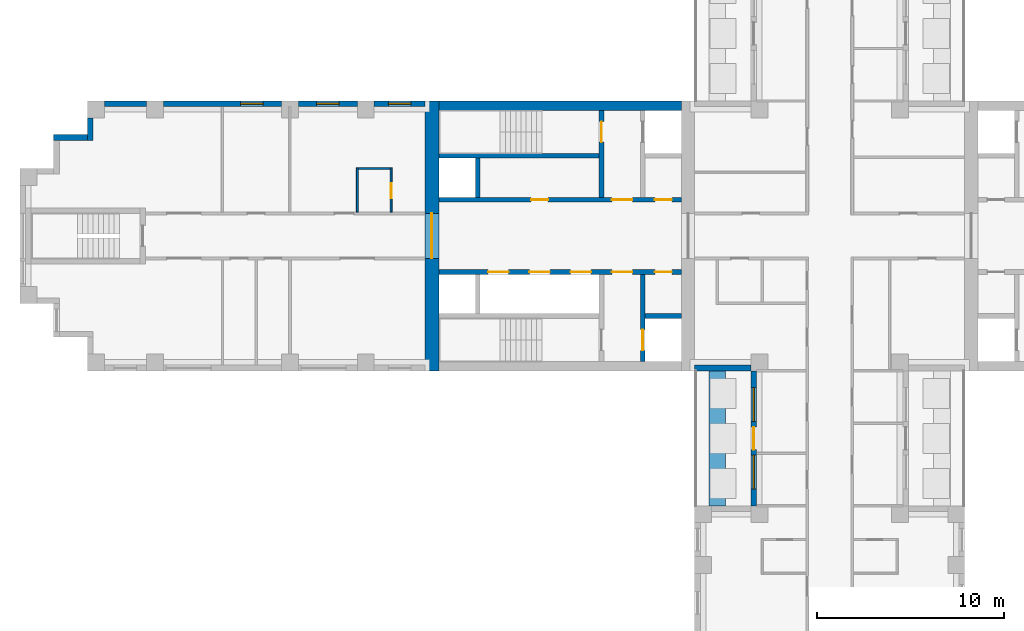
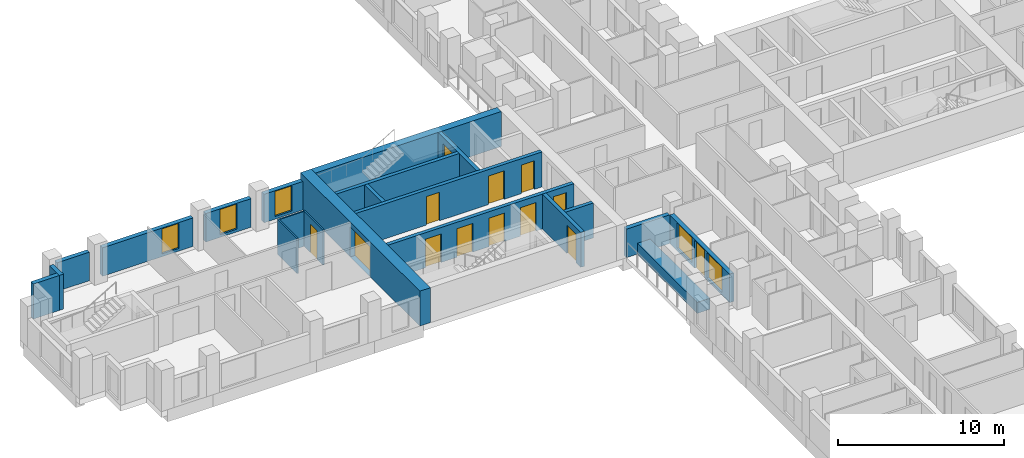
# One storey, part 6 of 15: 21 walls, 13 doors, 5 windows, 18 openings.
"""IFC4 building model written with IfcOpenShell, lengths in metres."""

from ifc_helpers import new_model, si_unit, direction, frame, frame_2d, origin, place, context, subcontext, project, spatial, rectangle, extrude, material, layer, layer_set, type_object, element, fill, save


model = new_model("IFC4")

# Units and contexts
model_context = context("Model", 3, precision=1e-05, world=origin(), true_north=direction((0.0, 1.0)))
body_context = subcontext(model_context, "Body", "Model", "MODEL_VIEW")
ifc_project = project(units=[si_unit("LENGTHUNIT", "METRE"), si_unit("AREAUNIT", "SQUARE_METRE"), si_unit("VOLUMEUNIT", "CUBIC_METRE"), si_unit("PLANEANGLEUNIT", "RADIAN"), si_unit("MASSUNIT", "GRAM", prefix="KILO")], contexts=[model_context])

# Site, building, storey
site_placement = place(None, origin())
site = spatial("IfcSite", under=ifc_project, at=site_placement, CompositionType="ELEMENT")
building_placement = place(site_placement, origin())
building = spatial("IfcBuilding", under=site, at=building_placement, Name="Fustian Cross Tower", CompositionType="ELEMENT")
storey_placement = place(building_placement, frame((0.0, 0.0, 38.699951171875)))
storey = spatial("IfcBuildingStorey", under=building, at=storey_placement, Name="L11", CompositionType="ELEMENT", Elevation=38.699951171875)

# Wall, opening, door
ifc_material_1 = material(Name="Concrete C80/95", Category="concrete")
ifc_layer_1 = layer(ifc_material_1, 0.75)
ifc_layer_set_1 = layer_set([ifc_layer_1], Name="Concrete C80/95")
wall_type_1 = type_object("IfcWallType", Name="CORE END WALL 750 C80/95", PredefinedType="SHEAR", material=ifc_layer_set_1)
wall_1_placement = place(storey_placement, frame((-21.22509765625, -7.199951171875, 0.0), z_axis=(0.0, 0.0, 1.0), x_axis=(0.0, 1.0, 0.0)))
wall_1 = element("IfcWall", 1, at=wall_1_placement, inside=storey, type_object=wall_type_1, Name="Core end wall", PredefinedType="SHEAR", context=body_context, shape_type="SweptSolid", body=[
    extrude(rectangle(XDim=14.39990234375, YDim=0.75, at=frame_2d((7.199951171875, 0.0))), origin(), (0.0, 0.0, 1.0), 2.574951171875),
])
opening_1_placement = place(wall_1_placement, frame((6.0, 0.0, 0.0)))
opening_1 = element("IfcOpeningElement", 2, at=opening_1_placement, cuts=wall_1, Name="Opening CD-04-27", PredefinedType="OPENING", context=body_context, shape_type="SweptSolid", body=[
    extrude(rectangle(XDim=2.39990234375, YDim=2.199951171875, at=frame_2d((1.199951171875, 1.10009765625))), frame((0.0, 0.385009765625, 0.0), z_axis=(0.0, -1.0, 0.0), x_axis=(1.0, 0.0, 0.0)), (0.0, 0.0, 1.0), 0.77001953125),
])
ifc_material_2 = material(Name="Steel", Category="steel")
door_type_1 = type_object("IfcDoorType", Name="FIRE DOOR FD30S DOUBLE 2400X2200", OperationType="DOUBLE_DOOR_DOUBLE_SWING", PredefinedType="DOOR", material=ifc_material_2)
door_1_placement = place(opening_1_placement, frame((2.39990234375, 0.0, 0.0), z_axis=(0.0, 0.0, 1.0), x_axis=(-1.0, 0.0, 0.0)))
door_1 = element("IfcDoor", 3, at=door_1_placement, inside=storey, type_object=door_type_1, Name="Core door CD-04-27", OperationType="DOUBLE_DOOR_DOUBLE_SWING", OverallHeight=2.199951171875, OverallWidth=2.39990234375, PredefinedType="DOOR", context=body_context, shape_type="SweptSolid", body=[
    extrude(rectangle(XDim=2.39990234375, YDim=2.199951171875, at=frame_2d((1.199951171875, 1.10009765625))), frame((0.0, 0.02490234375, 0.0), z_axis=(0.0, -1.0, 0.0), x_axis=(1.0, 0.0, 0.0)), (0.0, 0.0, 1.0), 0.050048828125),
])
fill(opening_1, door_1)

# Wall
ifc_material_3 = material(Name="Concrete C80/95", Category="concrete")
ifc_layer_2 = layer(ifc_material_3, 0.5)
ifc_layer_set_2 = layer_set([ifc_layer_2], Name="Concrete C80/95")
wall_type_2 = type_object("IfcWallType", Name="CORE FACADE WALL 500 C80/95", PredefinedType="SHEAR", material=ifc_layer_set_2)
wall_2_placement = place(storey_placement, frame((-7.89990234375, 6.949951171875, 0.0), z_axis=(0.0, 0.0, 1.0), x_axis=(-1.0, 0.0, 0.0)))
element("IfcWall", 4, at=wall_2_placement, inside=storey, type_object=wall_type_2, Name="Core facade wall", PredefinedType="SHEAR", context=body_context, shape_type="SweptSolid", body=[
    extrude(rectangle(XDim=12.9501953125, YDim=0.5, at=frame_2d((6.47509765625, 0.0))), origin(), (0.0, 0.0, 1.0), 2.574951171875),
])

# Wall, openings, doors
ifc_material_4 = material(Name="Concrete C50/60", Category="concrete")
ifc_layer_3 = layer(ifc_material_4, 0.25)
ifc_layer_set_3 = layer_set([ifc_layer_3], Name="Concrete C50/60")
wall_type_3 = type_object("IfcWallType", Name="CORE LOBBY WALL 250 C50/60", PredefinedType="SHEAR", material=ifc_layer_set_3)
wall_3_placement = place(storey_placement, frame((-7.89990234375, 1.925048828125, 0.0), z_axis=(0.0, 0.0, 1.0), x_axis=(-1.0, 0.0, 0.0)))
wall_3 = element("IfcWall", 5, at=wall_3_placement, inside=storey, type_object=wall_type_3, Name="Core lobby wall", PredefinedType="SHEAR", context=body_context, shape_type="SweptSolid", body=[
    extrude(rectangle(XDim=12.9501953125, YDim=0.25, at=frame_2d((6.47509765625, 0.0))), origin(), (0.0, 0.0, 1.0), 2.574951171875),
])
opening_2_placement = place(wall_3_placement, frame((0.52490234375, 0.0, 0.0)))
opening_2 = element("IfcOpeningElement", 6, at=opening_2_placement, cuts=wall_3, Name="Opening CD-04-22", PredefinedType="OPENING", context=body_context, shape_type="SweptSolid", body=[
    extrude(rectangle(XDim=0.89990234375, YDim=2.10009765625, at=frame_2d((0.449951171875, 1.050048828125))), frame((0.0, 0.135009765625, 0.0), z_axis=(0.0, -1.0, 0.0), x_axis=(1.0, 0.0, 0.0)), (0.0, 0.0, 1.0), 0.27001953125),
])
opening_3_placement = place(wall_3_placement, frame((2.625, 0.0, 0.0)))
opening_3 = element("IfcOpeningElement", 7, at=opening_3_placement, cuts=wall_3, Name="Opening CD-04-24", PredefinedType="OPENING", context=body_context, shape_type="SweptSolid", body=[
    extrude(rectangle(XDim=1.10009765625, YDim=2.10009765625, at=frame_2d((0.550048828125, 1.050048828125))), frame((0.0, 0.135009765625, 0.0), z_axis=(0.0, -1.0, 0.0), x_axis=(1.0, 0.0, 0.0)), (0.0, 0.0, 1.0), 0.27001953125),
])
opening_4_placement = place(wall_3_placement, frame((7.125, 0.0, 0.0)))
opening_4 = element("IfcOpeningElement", 8, at=opening_4_placement, cuts=wall_3, Name="Opening CD-04-28", PredefinedType="OPENING", context=body_context, shape_type="SweptSolid", body=[
    extrude(rectangle(XDim=0.89990234375, YDim=2.10009765625, at=frame_2d((0.449951171875, 1.050048828125))), frame((0.0, 0.135009765625, 0.0), z_axis=(0.0, -1.0, 0.0), x_axis=(1.0, 0.0, 0.0)), (0.0, 0.0, 1.0), 0.27001953125),
])
ifc_material_5 = material(Name="Steel", Category="steel")
door_type_2 = type_object("IfcDoorType", Name="FIRE DOOR FD30S 900X2100", OperationType="SINGLE_SWING_LEFT", PredefinedType="DOOR", material=ifc_material_5)
door_2_placement = place(opening_4_placement, frame((0.89990234375, 0.0, 0.0), z_axis=(0.0, 0.0, 1.0), x_axis=(-1.0, 0.0, 0.0)))
door_2 = element("IfcDoor", 9, at=door_2_placement, inside=storey, type_object=door_type_2, Name="Core door CD-04-28", OperationType="SINGLE_SWING_RIGHT", OverallHeight=2.10009765625, OverallWidth=0.89990234375, PredefinedType="DOOR", context=body_context, shape_type="SweptSolid", body=[
    extrude(rectangle(XDim=0.89990234375, YDim=2.10009765625, at=frame_2d((0.449951171875, 1.050048828125))), frame((0.0, 0.02490234375, 0.0), z_axis=(0.0, -1.0, 0.0), x_axis=(1.0, 0.0, 0.0)), (0.0, 0.0, 1.0), 0.050048828125),
])
fill(opening_4, door_2)
ifc_material_6 = material(Name="Steel", Category="steel")
door_type_3 = type_object("IfcDoorType", Name="FIRE DOOR FD60S 1100X2100", OperationType="SINGLE_SWING_LEFT", PredefinedType="DOOR", material=ifc_material_6)
door_3_placement = place(opening_3_placement, frame((1.10009765625, 0.0, 0.0), z_axis=(0.0, 0.0, 1.0), x_axis=(-1.0, 0.0, 0.0)))
door_3 = element("IfcDoor", 10, at=door_3_placement, inside=storey, type_object=door_type_3, Name="Core door CD-04-24", OperationType="SINGLE_SWING_RIGHT", OverallHeight=2.10009765625, OverallWidth=1.10009765625, PredefinedType="DOOR", context=body_context, shape_type="SweptSolid", body=[
    extrude(rectangle(XDim=1.10009765625, YDim=2.10009765625, at=frame_2d((0.550048828125, 1.050048828125))), frame((0.0, 0.02490234375, 0.0), z_axis=(0.0, -1.0, 0.0), x_axis=(1.0, 0.0, 0.0)), (0.0, 0.0, 1.0), 0.050048828125),
])
fill(opening_3, door_3)
ifc_material_7 = material(Name="Steel", Category="steel")
door_type_4 = type_object("IfcDoorType", Name="FIRE DOOR FD60S 900X2100", OperationType="SINGLE_SWING_LEFT", PredefinedType="DOOR", material=ifc_material_7)
door_4_placement = place(opening_2_placement, frame((0.89990234375, 0.0, 0.0), z_axis=(0.0, 0.0, 1.0), x_axis=(-1.0, 0.0, 0.0)))
door_4 = element("IfcDoor", 11, at=door_4_placement, inside=storey, type_object=door_type_4, Name="Core door CD-04-22", OperationType="SINGLE_SWING_RIGHT", OverallHeight=2.10009765625, OverallWidth=0.89990234375, PredefinedType="DOOR", context=body_context, shape_type="SweptSolid", body=[
    extrude(rectangle(XDim=0.89990234375, YDim=2.10009765625, at=frame_2d((0.449951171875, 1.050048828125))), frame((0.0, 0.02490234375, 0.0), z_axis=(0.0, -1.0, 0.0), x_axis=(1.0, 0.0, 0.0)), (0.0, 0.0, 1.0), 0.050048828125),
])
fill(opening_2, door_4)

wall_4_placement = place(storey_placement, frame((-7.89990234375, -1.925048828125, 0.0), z_axis=(0.0, 0.0, 1.0), x_axis=(-1.0, 0.0, 0.0)))
wall_4 = element("IfcWall", 12, at=wall_4_placement, inside=storey, type_object=wall_type_3, Name="Core lobby wall", PredefinedType="SHEAR", context=body_context, shape_type="SweptSolid", body=[
    extrude(rectangle(XDim=12.9501953125, YDim=0.25, at=frame_2d((6.47509765625, 0.0))), origin(), (0.0, 0.0, 1.0), 2.574951171875),
])
opening_5_placement = place(wall_4_placement, frame((4.824951171875, 0.0, 0.0)))
opening_5 = element("IfcOpeningElement", 13, at=opening_5_placement, cuts=wall_4, Name="Opening LD", PredefinedType="OPENING", context=body_context, shape_type="SweptSolid", body=[
    extrude(rectangle(XDim=1.10009765625, YDim=2.10009765625, at=frame_2d((0.550048828125, 1.050048828125))), frame((0.0, 0.135009765625, 0.0), z_axis=(0.0, -1.0, 0.0), x_axis=(1.0, 0.0, 0.0)), (0.0, 0.0, 1.0), 0.27001953125),
])
opening_6_placement = place(wall_4_placement, frame((7.02490234375, 0.0, 0.0)))
opening_6 = element("IfcOpeningElement", 14, at=opening_6_placement, cuts=wall_4, Name="Opening LD", PredefinedType="OPENING", context=body_context, shape_type="SweptSolid", body=[
    extrude(rectangle(XDim=1.10009765625, YDim=2.10009765625, at=frame_2d((0.550048828125, 1.050048828125))), frame((0.0, 0.135009765625, 0.0), z_axis=(0.0, -1.0, 0.0), x_axis=(1.0, 0.0, 0.0)), (0.0, 0.0, 1.0), 0.27001953125),
])
opening_7_placement = place(wall_4_placement, frame((9.22509765625, 0.0, 0.0)))
opening_7 = element("IfcOpeningElement", 15, at=opening_7_placement, cuts=wall_4, Name="Opening LD", PredefinedType="OPENING", context=body_context, shape_type="SweptSolid", body=[
    extrude(rectangle(XDim=1.10009765625, YDim=2.10009765625, at=frame_2d((0.550048828125, 1.050048828125))), frame((0.0, 0.135009765625, 0.0), z_axis=(0.0, -1.0, 0.0), x_axis=(1.0, 0.0, 0.0)), (0.0, 0.0, 1.0), 0.27001953125),
])
opening_8_placement = place(wall_4_placement, frame((0.52490234375, 0.0, 0.0)))
opening_8 = element("IfcOpeningElement", 16, at=opening_8_placement, cuts=wall_4, Name="Opening CD-04-23", PredefinedType="OPENING", context=body_context, shape_type="SweptSolid", body=[
    extrude(rectangle(XDim=0.89990234375, YDim=2.10009765625, at=frame_2d((0.449951171875, 1.050048828125))), frame((0.0, 0.135009765625, 0.0), z_axis=(0.0, -1.0, 0.0), x_axis=(1.0, 0.0, 0.0)), (0.0, 0.0, 1.0), 0.27001953125),
])
opening_9_placement = place(wall_4_placement, frame((2.625, 0.0, 0.0)))
opening_9 = element("IfcOpeningElement", 17, at=opening_9_placement, cuts=wall_4, Name="Opening CD-04-25", PredefinedType="OPENING", context=body_context, shape_type="SweptSolid", body=[
    extrude(rectangle(XDim=1.10009765625, YDim=2.10009765625, at=frame_2d((0.550048828125, 1.050048828125))), frame((0.0, 0.135009765625, 0.0), z_axis=(0.0, -1.0, 0.0), x_axis=(1.0, 0.0, 0.0)), (0.0, 0.0, 1.0), 0.27001953125),
])
ifc_material_8 = material(Name="Steel", Category="steel")
door_type_5 = type_object("IfcDoorType", Name="FIRE DOOR FD30S 1100X2100", OperationType="SINGLE_SWING_LEFT", PredefinedType="DOOR", material=ifc_material_8)
door_5_placement = place(opening_9_placement, frame((1.10009765625, 0.0, 0.0), z_axis=(0.0, 0.0, 1.0), x_axis=(-1.0, 0.0, 0.0)))
door_5 = element("IfcDoor", 18, at=door_5_placement, inside=storey, type_object=door_type_5, Name="Core door CD-04-25", OperationType="SINGLE_SWING_RIGHT", OverallHeight=2.10009765625, OverallWidth=1.10009765625, PredefinedType="DOOR", context=body_context, shape_type="SweptSolid", body=[
    extrude(rectangle(XDim=1.10009765625, YDim=2.10009765625, at=frame_2d((0.550048828125, 1.050048828125))), frame((0.0, 0.02490234375, 0.0), z_axis=(0.0, -1.0, 0.0), x_axis=(1.0, 0.0, 0.0)), (0.0, 0.0, 1.0), 0.050048828125),
])
fill(opening_9, door_5)
door_6_placement = place(opening_8_placement, origin())
door_6 = element("IfcDoor", 19, at=door_6_placement, inside=storey, type_object=door_type_2, Name="Core door CD-04-23", OperationType="SINGLE_SWING_LEFT", OverallHeight=2.10009765625, OverallWidth=0.89990234375, PredefinedType="DOOR", context=body_context, shape_type="SweptSolid", body=[
    extrude(rectangle(XDim=0.89990234375, YDim=2.10009765625, at=frame_2d((0.449951171875, 1.050048828125))), frame((0.0, 0.02490234375, 0.0), z_axis=(0.0, -1.0, 0.0), x_axis=(1.0, 0.0, 0.0)), (0.0, 0.0, 1.0), 0.050048828125),
])
fill(opening_8, door_6)
ifc_material_9 = material(Name="Stainless steel", Category="steel")
door_type_6 = type_object("IfcDoorType", Name="LIFT LANDING DOOR 1100X2100", OperationType="SLIDING_TO_LEFT", PredefinedType="DOOR", material=ifc_material_9)
door_7_placement = place(opening_5_placement, origin())
door_7 = element("IfcDoor", 20, at=door_7_placement, inside=storey, type_object=door_type_6, Name="Landing door LR1W", OperationType="SLIDING_TO_LEFT", OverallHeight=2.10009765625, OverallWidth=1.10009765625, PredefinedType="DOOR", context=body_context, shape_type="SweptSolid", body=[
    extrude(rectangle(XDim=1.10009765625, YDim=2.10009765625, at=frame_2d((0.550048828125, 1.050048828125))), frame((0.0, 0.02490234375, 0.0), z_axis=(0.0, -1.0, 0.0), x_axis=(1.0, 0.0, 0.0)), (0.0, 0.0, 1.0), 0.050048828125),
])
fill(opening_5, door_7)
door_8_placement = place(opening_6_placement, origin())
door_8 = element("IfcDoor", 21, at=door_8_placement, inside=storey, type_object=door_type_6, Name="Landing door LR2W", OperationType="SLIDING_TO_LEFT", OverallHeight=2.10009765625, OverallWidth=1.10009765625, PredefinedType="DOOR", context=body_context, shape_type="SweptSolid", body=[
    extrude(rectangle(XDim=1.10009765625, YDim=2.10009765625, at=frame_2d((0.550048828125, 1.050048828125))), frame((0.0, 0.02490234375, 0.0), z_axis=(0.0, -1.0, 0.0), x_axis=(1.0, 0.0, 0.0)), (0.0, 0.0, 1.0), 0.050048828125),
])
fill(opening_6, door_8)
door_9_placement = place(opening_7_placement, origin())
door_9 = element("IfcDoor", 22, at=door_9_placement, inside=storey, type_object=door_type_6, Name="Landing door LR3W", OperationType="SLIDING_TO_LEFT", OverallHeight=2.10009765625, OverallWidth=1.10009765625, PredefinedType="DOOR", context=body_context, shape_type="SweptSolid", body=[
    extrude(rectangle(XDim=1.10009765625, YDim=2.10009765625, at=frame_2d((0.550048828125, 1.050048828125))), frame((0.0, 0.02490234375, 0.0), z_axis=(0.0, -1.0, 0.0), x_axis=(1.0, 0.0, 0.0)), (0.0, 0.0, 1.0), 0.050048828125),
])
fill(opening_7, door_9)

# Wall
ifc_material_10 = material(Name="Concrete C50/60", Category="concrete")
ifc_layer_4 = layer(ifc_material_10, 0.25)
ifc_layer_set_4 = layer_set([ifc_layer_4], Name="Concrete C50/60")
wall_type_4 = type_object("IfcWallType", Name="CORE SHAFT WALL 250 C50/60", PredefinedType="SHEAR", material=ifc_layer_set_4)
wall_5_placement = place(storey_placement, frame((-12.300048828125, 4.27490234375, 0.0), z_axis=(0.0, 0.0, 1.0), x_axis=(-1.0, 0.0, 0.0)))
element("IfcWall", 23, at=wall_5_placement, inside=storey, type_object=wall_type_4, Name="Core shaft wall", PredefinedType="SHEAR", context=body_context, shape_type="SweptSolid", body=[
    extrude(rectangle(XDim=8.550048828125, YDim=0.25, at=frame_2d((4.27490234375, 0.0))), origin(), (0.0, 0.0, 1.0), 2.574951171875),
])

# Wall, opening, door
wall_6_placement = place(storey_placement, frame((-12.175048828125, 2.050048828125, 0.0), z_axis=(0.0, 0.0, 1.0), x_axis=(0.0, 1.0, 0.0)))
wall_6 = element("IfcWall", 24, at=wall_6_placement, inside=storey, type_object=wall_type_4, Name="Core shaft wall", PredefinedType="SHEAR", context=body_context, shape_type="SweptSolid", body=[
    extrude(rectangle(XDim=4.64990234375, YDim=0.25, at=frame_2d((2.324951171875, 0.0))), origin(), (0.0, 0.0, 1.0), 2.574951171875),
])
opening_10_placement = place(wall_6_placement, frame((2.949951171875, 0.0, 0.0)))
opening_10 = element("IfcOpeningElement", 25, at=opening_10_placement, cuts=wall_6, Name="Opening CD-04-20", PredefinedType="OPENING", context=body_context, shape_type="SweptSolid", body=[
    extrude(rectangle(XDim=1.10009765625, YDim=2.10009765625, at=frame_2d((0.550048828125, 1.050048828125))), frame((0.0, 0.135009765625, 0.0), z_axis=(0.0, -1.0, 0.0), x_axis=(1.0, 0.0, 0.0)), (0.0, 0.0, 1.0), 0.27001953125),
])
door_10_placement = place(opening_10_placement, origin())
door_10 = element("IfcDoor", 26, at=door_10_placement, inside=storey, type_object=door_type_3, Name="Core door CD-04-20", OperationType="SINGLE_SWING_LEFT", OverallHeight=2.10009765625, OverallWidth=1.10009765625, PredefinedType="DOOR", context=body_context, shape_type="SweptSolid", body=[
    extrude(rectangle(XDim=1.10009765625, YDim=2.10009765625, at=frame_2d((0.550048828125, 1.050048828125))), frame((0.0, 0.02490234375, 0.0), z_axis=(0.0, -1.0, 0.0), x_axis=(1.0, 0.0, 0.0)), (0.0, 0.0, 1.0), 0.050048828125),
])
fill(opening_10, door_10)

# Wall
wall_7_placement = place(storey_placement, frame((-7.89990234375, -4.27490234375, 0.0), z_axis=(0.0, 0.0, 1.0), x_axis=(-1.0, 0.0, 0.0)))
element("IfcWall", 27, at=wall_7_placement, inside=storey, type_object=wall_type_4, Name="Core shaft wall", PredefinedType="SHEAR", context=body_context, shape_type="SweptSolid", body=[
    extrude(rectangle(XDim=1.9501953125, YDim=0.25, at=frame_2d((0.97509765625, 0.0))), origin(), (0.0, 0.0, 1.0), 2.574951171875),
])

# Wall, opening, door
wall_8_placement = place(storey_placement, frame((-9.97509765625, -2.050048828125, 0.0), z_axis=(0.0, 0.0, 1.0), x_axis=(0.0, -1.0, 0.0)))
wall_8 = element("IfcWall", 28, at=wall_8_placement, inside=storey, type_object=wall_type_4, Name="Core shaft wall", PredefinedType="SHEAR", context=body_context, shape_type="SweptSolid", body=[
    extrude(rectangle(XDim=4.64990234375, YDim=0.25, at=frame_2d((2.324951171875, 0.0))), origin(), (0.0, 0.0, 1.0), 2.574951171875),
])
opening_11_placement = place(wall_8_placement, frame((2.949951171875, 0.0, 0.0)))
opening_11 = element("IfcOpeningElement", 29, at=opening_11_placement, cuts=wall_8, Name="Opening LD", PredefinedType="OPENING", context=body_context, shape_type="SweptSolid", body=[
    extrude(rectangle(XDim=1.10009765625, YDim=2.10009765625, at=frame_2d((0.550048828125, 1.050048828125))), frame((0.0, 0.135009765625, 0.0), z_axis=(0.0, -1.0, 0.0), x_axis=(1.0, 0.0, 0.0)), (0.0, 0.0, 1.0), 0.27001953125),
])
door_11_placement = place(opening_11_placement, origin())
door_11 = element("IfcDoor", 30, at=door_11_placement, inside=storey, type_object=door_type_6, Name="Landing door SV1W", OperationType="SLIDING_TO_LEFT", OverallHeight=2.10009765625, OverallWidth=1.10009765625, PredefinedType="DOOR", context=body_context, shape_type="SweptSolid", body=[
    extrude(rectangle(XDim=1.10009765625, YDim=2.10009765625, at=frame_2d((0.550048828125, 1.050048828125))), frame((0.0, 0.02490234375, 0.0), z_axis=(0.0, -1.0, 0.0), x_axis=(1.0, 0.0, 0.0)), (0.0, 0.0, 1.0), 0.050048828125),
])
fill(opening_11, door_11)

# Walls
ifc_material_11 = material(Name="Plasterboard on steel stud", Category="steel")
ifc_layer_5 = layer(ifc_material_11, 0.10009765625)
ifc_layer_set_5 = layer_set([ifc_layer_5], Name="Plasterboard on steel stud")
wall_type_5 = type_object("IfcWallType", Name="PARTITION 100 STUD", PredefinedType="PARTITIONING", material=ifc_layer_set_5)
wall_9_placement = place(storey_placement, frame((-25.199951171875, 1.27490234375, 0.0), z_axis=(0.0, 0.0, 1.0), x_axis=(0.0, 1.0, 0.0)))
element("IfcWall", 31, at=wall_9_placement, inside=storey, type_object=wall_type_5, Name="Partition 8", PredefinedType="PARTITIONING", context=body_context, shape_type="SweptSolid", body=[
    extrude(rectangle(XDim=2.375, YDim=0.10009765625, at=frame_2d((1.1875, 0.0))), origin(), (0.0, 0.0, 1.0), 2.574951171875),
])
wall_10_placement = place(storey_placement, frame((-25.14990234375, 3.60009765625, 0.0), z_axis=(0.0, 0.0, 1.0), x_axis=(1.0, 0.0, 0.0)))
element("IfcWall", 32, at=wall_10_placement, inside=storey, type_object=wall_type_5, Name="Partition 9", PredefinedType="PARTITIONING", context=body_context, shape_type="SweptSolid", body=[
    extrude(rectangle(XDim=1.699951171875, YDim=0.10009765625, at=frame_2d((0.85009765625, 0.0))), origin(), (0.0, 0.0, 1.0), 2.574951171875),
])

# Wall, opening, door
wall_11_placement = place(storey_placement, frame((-23.39990234375, 1.27490234375, 0.0), z_axis=(0.0, 0.0, 1.0), x_axis=(0.0, 1.0, 0.0)))
wall_11 = element("IfcWall", 33, at=wall_11_placement, inside=storey, type_object=wall_type_5, Name="Partition 10", PredefinedType="PARTITIONING", context=body_context, shape_type="SweptSolid", body=[
    extrude(rectangle(XDim=2.375, YDim=0.10009765625, at=frame_2d((1.1875, 0.0))), origin(), (0.0, 0.0, 1.0), 2.574951171875),
])
opening_12_placement = place(wall_11_placement, frame((0.72509765625, 0.0, 0.0)))
opening_12 = element("IfcOpeningElement", 34, at=opening_12_placement, cuts=wall_11, Name="Opening D07045", PredefinedType="OPENING", context=body_context, shape_type="SweptSolid", body=[
    extrude(rectangle(XDim=0.800048828125, YDim=2.10009765625, at=frame_2d((0.39990234375, 1.050048828125))), frame((0.0, 0.06005859375, 0.0), z_axis=(0.0, -1.0, 0.0), x_axis=(1.0, 0.0, 0.0)), (0.0, 0.0, 1.0), 0.1201171875),
])
ifc_material_12 = material(Name="Painted timber", Category="wood")
door_type_7 = type_object("IfcDoorType", Name="SWING DOOR 800", OperationType="SINGLE_SWING_LEFT", PredefinedType="DOOR", material=ifc_material_12)
door_12_placement = place(opening_12_placement, origin())
door_12 = element("IfcDoor", 35, at=door_12_placement, inside=storey, type_object=door_type_7, Name="Door D07045", OperationType="SINGLE_SWING_LEFT", OverallHeight=2.10009765625, OverallWidth=0.800048828125, PredefinedType="DOOR", context=body_context, shape_type="SweptSolid", body=[
    extrude(rectangle(XDim=0.800048828125, YDim=2.10009765625, at=frame_2d((0.39990234375, 1.050048828125))), frame((0.0, 0.02490234375, 0.0), z_axis=(0.0, -1.0, 0.0), x_axis=(1.0, 0.0, 0.0)), (0.0, 0.0, 1.0), 0.050048828125),
])
fill(opening_12, door_12)

# Walls
ifc_material_13 = material(Name="Concrete C40/50", Category="concrete")
ifc_layer_6 = layer(ifc_material_13, 0.89990234375)
ifc_layer_set_6 = layer_set([ifc_layer_6], Name="Concrete C40/50")
wall_type_6 = type_object("IfcWallType", Name="PK1 PLANTER 900", PredefinedType="PARAPET", material=ifc_layer_set_6)
wall_12_placement = place(storey_placement, frame((-6.0, -14.39990234375, 0.0), z_axis=(0.0, 0.0, 1.0), x_axis=(0.0, 1.0, 0.0)))
element("IfcWall", 36, at=wall_12_placement, inside=storey, type_object=wall_type_6, Name="PLANTER", PredefinedType="PARAPET", context=body_context, shape_type="SweptSolid", body=[
    extrude(rectangle(XDim=7.199951171875, YDim=0.89990234375, at=frame_2d((3.60009765625, 0.0))), origin(), (0.0, 0.0, 1.0), 0.800048828125),
])
ifc_material_14 = material(Name="Concrete C40/50", Category="concrete")
ifc_layer_7 = layer(ifc_material_14, 0.25)
ifc_layer_set_7 = layer_set([ifc_layer_7], Name="Concrete C40/50")
wall_type_7 = type_object("IfcWallType", Name="SHAFT PARTITION WALL 250 C40/50", PredefinedType="PARTITIONING", material=ifc_layer_set_7)
wall_13_placement = place(storey_placement, frame((-18.77490234375, 2.050048828125, 0.0), z_axis=(0.0, 0.0, 1.0), x_axis=(0.0, 1.0, 0.0)))
element("IfcWall", 37, at=wall_13_placement, inside=storey, type_object=wall_type_7, Name="Core shaft wall", PredefinedType="PARTITIONING", context=body_context, shape_type="SweptSolid", body=[
    extrude(rectangle(XDim=2.099853515625, YDim=0.25, at=frame_2d((1.0498046875, 0.0))), origin(), (0.0, 0.0, 1.0), 2.574951171875),
])

# Wall, opening, window
ifc_material_15 = material(Name="Dark aluminium cladding on insulated backing wall", Category="aluminium")
ifc_layer_8 = layer(ifc_material_15, 0.300048828125)
ifc_layer_set_8 = layer_set([ifc_layer_8], Name="Dark aluminium cladding on insulated backing wall")
wall_type_8 = type_object("IfcWallType", Name="XW1 EXTERNAL WALL 300", PredefinedType="SOLIDWALL", material=ifc_layer_set_8)
wall_14_placement = place(storey_placement, frame((-21.60009765625, 7.050048828125, 0.0), z_axis=(0.0, 0.0, 1.0), x_axis=(-1.0, 0.0, 0.0)))
wall_14 = element("IfcWall", 38, at=wall_14_placement, inside=storey, type_object=wall_type_8, Name="External wall", PredefinedType="SOLIDWALL", context=body_context, shape_type="SweptSolid", body=[
    extrude(rectangle(XDim=2.699951171875, YDim=0.300048828125, at=frame_2d((1.35009765625, 0.0))), origin(), (0.0, 0.0, 1.0), 2.10009765625),
])
opening_13_placement = place(wall_14_placement, frame((0.75, 0.0, 0.199951171875)))
opening_13 = element("IfcOpeningElement", 39, at=opening_13_placement, cuts=wall_14, Name="Opening WN3", PredefinedType="OPENING", context=body_context, shape_type="SweptSolid", body=[
    extrude(rectangle(XDim=1.199951171875, YDim=1.85009765625, at=frame_2d((0.60009765625, 0.925048828125))), frame((0.0, 0.159912109375, 0.0), z_axis=(0.0, -1.0, 0.0), x_axis=(1.0, 0.0, 0.0)), (0.0, 0.0, 1.0), 0.320068359375),
])
ifc_material_16 = material(Name="Dark anodised aluminium and double glazing", Category="aluminium")
window_type_1 = type_object("IfcWindowType", Name="WN3 WINDOW 1200X1850", PartitioningType="SINGLE_PANEL", PredefinedType="WINDOW", material=ifc_material_16)
window_1_placement = place(opening_13_placement, origin())
window_1 = element("IfcWindow", 40, at=window_1_placement, inside=storey, type_object=window_type_1, Name="Window", OverallHeight=1.85009765625, OverallWidth=1.199951171875, PartitioningType="SINGLE_PANEL", PredefinedType="WINDOW", context=body_context, shape_type="SweptSolid", body=[
    extrude(rectangle(XDim=1.199951171875, YDim=1.85009765625, at=frame_2d((0.60009765625, 0.925048828125))), frame((0.0, 0.030029296875, 0.0), z_axis=(0.0, -1.0, 0.0), x_axis=(1.0, 0.0, 0.0)), (0.0, 0.0, 1.0), 0.06005859375),
])
fill(opening_13, window_1)

wall_15_placement = place(storey_placement, frame((-25.199951171875, 7.050048828125, 0.0), z_axis=(0.0, 0.0, 1.0), x_axis=(-1.0, 0.0, 0.0)))
wall_15 = element("IfcWall", 41, at=wall_15_placement, inside=storey, type_object=wall_type_8, Name="External wall", PredefinedType="SOLIDWALL", context=body_context, shape_type="SweptSolid", body=[
    extrude(rectangle(XDim=3.150146484375, YDim=0.300048828125, at=frame_2d((1.5751953125, 0.0))), origin(), (0.0, 0.0, 1.0), 2.10009765625),
])
opening_14_placement = place(wall_15_placement, frame((0.97509765625, 0.0, 0.199951171875)))
opening_14 = element("IfcOpeningElement", 42, at=opening_14_placement, cuts=wall_15, Name="Opening WN3", PredefinedType="OPENING", context=body_context, shape_type="SweptSolid", body=[
    extrude(rectangle(XDim=1.199951171875, YDim=1.85009765625, at=frame_2d((0.60009765625, 0.925048828125))), frame((0.0, 0.159912109375, 0.0), z_axis=(0.0, -1.0, 0.0), x_axis=(1.0, 0.0, 0.0)), (0.0, 0.0, 1.0), 0.320068359375),
])
window_2_placement = place(opening_14_placement, origin())
window_2 = element("IfcWindow", 43, at=window_2_placement, inside=storey, type_object=window_type_1, Name="Window", OverallHeight=1.85009765625, OverallWidth=1.199951171875, PartitioningType="SINGLE_PANEL", PredefinedType="WINDOW", context=body_context, shape_type="SweptSolid", body=[
    extrude(rectangle(XDim=1.199951171875, YDim=1.85009765625, at=frame_2d((0.60009765625, 0.925048828125))), frame((0.0, 0.030029296875, 0.0), z_axis=(0.0, -1.0, 0.0), x_axis=(1.0, 0.0, 0.0)), (0.0, 0.0, 1.0), 0.06005859375),
])
fill(opening_14, window_2)

wall_16_placement = place(storey_placement, frame((-29.25, 7.050048828125, 0.0), z_axis=(0.0, 0.0, 1.0), x_axis=(-1.0, 0.0, 0.0)))
wall_16 = element("IfcWall", 44, at=wall_16_placement, inside=storey, type_object=wall_type_8, Name="External wall", PredefinedType="SOLIDWALL", context=body_context, shape_type="SweptSolid", body=[
    extrude(rectangle(XDim=6.300048828125, YDim=0.300048828125, at=frame_2d((3.14990234375, 0.0))), origin(), (0.0, 0.0, 1.0), 2.10009765625),
])
opening_15_placement = place(wall_16_placement, frame((0.97509765625, 0.0, 0.199951171875)))
opening_15 = element("IfcOpeningElement", 45, at=opening_15_placement, cuts=wall_16, Name="Opening WN3", PredefinedType="OPENING", context=body_context, shape_type="SweptSolid", body=[
    extrude(rectangle(XDim=1.199951171875, YDim=1.85009765625, at=frame_2d((0.60009765625, 0.925048828125))), frame((0.0, 0.159912109375, 0.0), z_axis=(0.0, -1.0, 0.0), x_axis=(1.0, 0.0, 0.0)), (0.0, 0.0, 1.0), 0.320068359375),
])
window_3_placement = place(opening_15_placement, origin())
window_3 = element("IfcWindow", 46, at=window_3_placement, inside=storey, type_object=window_type_1, Name="Window", OverallHeight=1.85009765625, OverallWidth=1.199951171875, PartitioningType="SINGLE_PANEL", PredefinedType="WINDOW", context=body_context, shape_type="SweptSolid", body=[
    extrude(rectangle(XDim=1.199951171875, YDim=1.85009765625, at=frame_2d((0.60009765625, 0.925048828125))), frame((0.0, 0.030029296875, 0.0), z_axis=(0.0, -1.0, 0.0), x_axis=(1.0, 0.0, 0.0)), (0.0, 0.0, 1.0), 0.06005859375),
])
fill(opening_15, window_3)

# Walls
wall_17_placement = place(storey_placement, frame((-36.449951171875, 7.050048828125, 0.0), z_axis=(0.0, 0.0, 1.0), x_axis=(-1.0, 0.0, 0.0)))
element("IfcWall", 47, at=wall_17_placement, inside=storey, type_object=wall_type_8, Name="External wall", PredefinedType="SOLIDWALL", context=body_context, shape_type="SweptSolid", body=[
    extrude(rectangle(XDim=2.25, YDim=0.300048828125, at=frame_2d((1.125, 0.0))), origin(), (0.0, 0.0, 1.0), 2.10009765625),
])
wall_18_placement = place(storey_placement, frame((-39.449951171875, 6.300048828125, 0.0), z_axis=(0.0, 0.0, 1.0), x_axis=(0.0, -1.0, 0.0)))
element("IfcWall", 48, at=wall_18_placement, inside=storey, type_object=wall_type_8, Name="External wall", PredefinedType="SOLIDWALL", context=body_context, shape_type="SweptSolid", body=[
    extrude(rectangle(XDim=1.199951171875, YDim=0.300048828125, at=frame_2d((0.60009765625, 0.0))), origin(), (0.0, 0.0, 1.0), 2.574951171875),
])
wall_19_placement = place(storey_placement, frame((-39.60009765625, 5.25, 0.0), z_axis=(0.0, 0.0, 1.0), x_axis=(-1.0, 0.0, 0.0)))
element("IfcWall", 49, at=wall_19_placement, inside=storey, type_object=wall_type_8, Name="External wall", PredefinedType="SOLIDWALL", context=body_context, shape_type="SweptSolid", body=[
    extrude(rectangle(XDim=1.7998046875, YDim=0.300048828125, at=frame_2d((0.89990234375, 0.0))), origin(), (0.0, 0.0, 1.0), 2.574951171875),
])
wall_20_placement = place(storey_placement, frame((-7.199951171875, -7.050048828125, 0.0), z_axis=(0.0, 0.0, 1.0), x_axis=(1.0, 0.0, 0.0)))
element("IfcWall", 50, at=wall_20_placement, inside=storey, type_object=wall_type_8, Name="External wall", PredefinedType="SOLIDWALL", context=body_context, shape_type="SweptSolid", body=[
    extrude(rectangle(XDim=3.0, YDim=0.300048828125, at=frame_2d((1.5, 0.0))), origin(), (0.0, 0.0, 1.0), 2.10009765625),
])

# Wall, openings, door, windows
wall_21_placement = place(storey_placement, frame((-4.050048828125, -7.199951171875, 0.0), z_axis=(0.0, 0.0, 1.0), x_axis=(0.0, -1.0, 0.0)))
wall_21 = element("IfcWall", 51, at=wall_21_placement, inside=storey, type_object=wall_type_8, Name="External wall", PredefinedType="SOLIDWALL", context=body_context, shape_type="SweptSolid", body=[
    extrude(rectangle(XDim=7.199951171875, YDim=0.300048828125, at=frame_2d((3.60009765625, 0.0))), origin(), (0.0, 0.0, 1.0), 2.10009765625),
])
opening_16_placement = place(wall_21_placement, frame((3.0, 0.0, 0.0)))
opening_16 = element("IfcOpeningElement", 52, at=opening_16_placement, cuts=wall_21, Name="Opening XD4", PredefinedType="OPENING", context=body_context, shape_type="SweptSolid", body=[
    extrude(rectangle(XDim=1.199951171875, YDim=2.050048828125, at=frame_2d((0.60009765625, 1.02490234375))), frame((0.0, 0.159912109375, 0.0), z_axis=(0.0, -1.0, 0.0), x_axis=(1.0, 0.0, 0.0)), (0.0, 0.0, 1.0), 0.320068359375),
])
opening_17_placement = place(wall_21_placement, frame((0.89990234375, 0.0, 0.199951171875)))
opening_17 = element("IfcOpeningElement", 53, at=opening_17_placement, cuts=wall_21, Name="Opening WN2", PredefinedType="OPENING", context=body_context, shape_type="SweptSolid", body=[
    extrude(rectangle(XDim=1.800048828125, YDim=1.85009765625, at=frame_2d((0.89990234375, 0.925048828125))), frame((0.0, 0.159912109375, 0.0), z_axis=(0.0, -1.0, 0.0), x_axis=(1.0, 0.0, 0.0)), (0.0, 0.0, 1.0), 0.320068359375),
])
opening_18_placement = place(wall_21_placement, frame((4.5, 0.0, 0.199951171875)))
opening_18 = element("IfcOpeningElement", 54, at=opening_18_placement, cuts=wall_21, Name="Opening WN2", PredefinedType="OPENING", context=body_context, shape_type="SweptSolid", body=[
    extrude(rectangle(XDim=1.800048828125, YDim=1.85009765625, at=frame_2d((0.89990234375, 0.925048828125))), frame((0.0, 0.159912109375, 0.0), z_axis=(0.0, -1.0, 0.0), x_axis=(1.0, 0.0, 0.0)), (0.0, 0.0, 1.0), 0.320068359375),
])
ifc_material_17 = material(Name="Dark anodised aluminium and double glazing", Category="aluminium")
door_type_8 = type_object("IfcDoorType", Name="ED1 BALCONY DOOR 1200X2050", OperationType="SINGLE_SWING_LEFT", PredefinedType="DOOR", material=ifc_material_17)
door_13_placement = place(opening_16_placement, origin())
door_13 = element("IfcDoor", 55, at=door_13_placement, inside=storey, type_object=door_type_8, Name="Balcony door", OperationType="SINGLE_SWING_LEFT", OverallHeight=2.050048828125, OverallWidth=1.199951171875, PredefinedType="DOOR", context=body_context, shape_type="SweptSolid", body=[
    extrude(rectangle(XDim=1.199951171875, YDim=2.050048828125, at=frame_2d((0.60009765625, 1.02490234375))), frame((0.0, 0.02490234375, 0.0), z_axis=(0.0, -1.0, 0.0), x_axis=(1.0, 0.0, 0.0)), (0.0, 0.0, 1.0), 0.050048828125),
])
fill(opening_16, door_13)
ifc_material_18 = material(Name="Dark anodised aluminium and double glazing", Category="aluminium")
window_type_2 = type_object("IfcWindowType", Name="WN2 WINDOW 1800X1850", PartitioningType="SINGLE_PANEL", PredefinedType="WINDOW", material=ifc_material_18)
window_4_placement = place(opening_17_placement, origin())
window_4 = element("IfcWindow", 56, at=window_4_placement, inside=storey, type_object=window_type_2, Name="Window", OverallHeight=1.85009765625, OverallWidth=1.800048828125, PartitioningType="SINGLE_PANEL", PredefinedType="WINDOW", context=body_context, shape_type="SweptSolid", body=[
    extrude(rectangle(XDim=1.800048828125, YDim=1.85009765625, at=frame_2d((0.89990234375, 0.925048828125))), frame((0.0, 0.030029296875, 0.0), z_axis=(0.0, -1.0, 0.0), x_axis=(1.0, 0.0, 0.0)), (0.0, 0.0, 1.0), 0.06005859375),
])
fill(opening_17, window_4)
window_5_placement = place(opening_18_placement, origin())
window_5 = element("IfcWindow", 57, at=window_5_placement, inside=storey, type_object=window_type_2, Name="Window", OverallHeight=1.85009765625, OverallWidth=1.800048828125, PartitioningType="SINGLE_PANEL", PredefinedType="WINDOW", context=body_context, shape_type="SweptSolid", body=[
    extrude(rectangle(XDim=1.800048828125, YDim=1.85009765625, at=frame_2d((0.89990234375, 0.925048828125))), frame((0.0, 0.030029296875, 0.0), z_axis=(0.0, -1.0, 0.0), x_axis=(1.0, 0.0, 0.0)), (0.0, 0.0, 1.0), 0.06005859375),
])
fill(opening_18, window_5)

save(model, "model.ifc")
